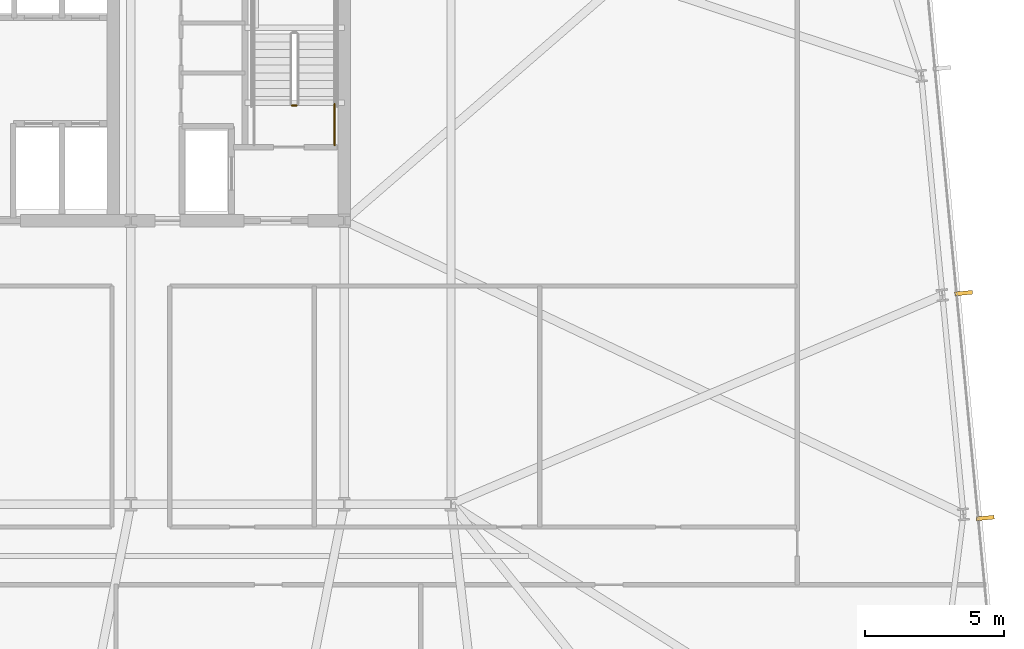
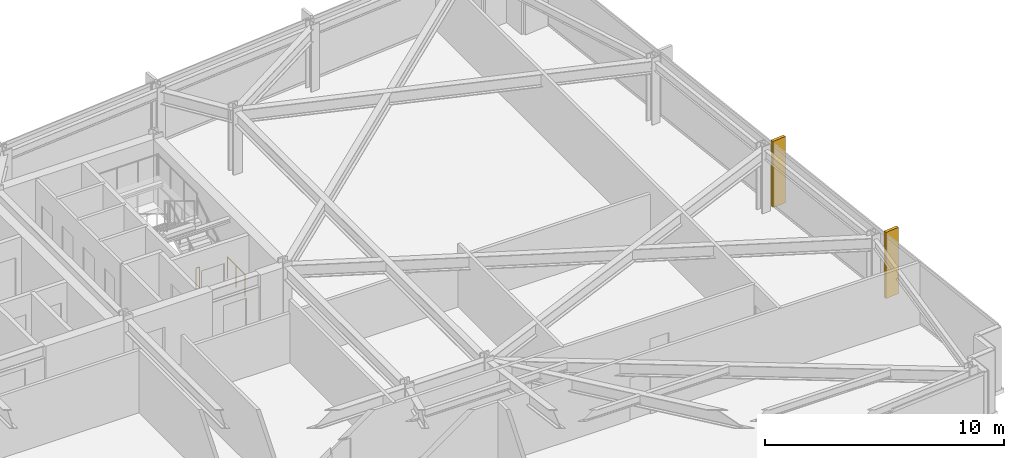
# One storey, part 30 of 32: 2 railings, 2 shading devices.
"""IFC4 building model written with IfcOpenShell, lengths in metres."""

from ifc_helpers import new_model, si_unit, direction, frame, origin, origin_2d, place, context, subcontext, project, spatial, rectangle, circle, extrude, material, layer, layer_set, type_object, element, save


model = new_model("IFC4")

# Units and contexts
model_context = context("Model", 3, precision=1e-05, world=origin(), true_north=direction((0.0, 1.0)))
body_context = subcontext(model_context, "Body", "Model", "MODEL_VIEW")
ifc_project = project(units=[si_unit("LENGTHUNIT", "METRE"), si_unit("AREAUNIT", "SQUARE_METRE"), si_unit("VOLUMEUNIT", "CUBIC_METRE"), si_unit("PLANEANGLEUNIT", "RADIAN"), si_unit("MASSUNIT", "GRAM", prefix="KILO")], contexts=[model_context])

# Site, building, storey
site_placement = place(None, origin())
site = spatial("IfcSite", under=ifc_project, at=site_placement, CompositionType="ELEMENT")
building_placement = place(site_placement, origin())
building = spatial("IfcBuilding", under=site, at=building_placement, Name="Yelkora Congress Tower", CompositionType="ELEMENT")
storey_placement = place(building_placement, frame((0.0, 0.0, 103.300048828125)))
storey = spatial("IfcBuildingStorey", under=building, at=storey_placement, Name="L27", CompositionType="ELEMENT", Elevation=103.300048828125)

# Railings
ifc_material_1 = material(Name="Painted galvanised steel stair well guard with vertical infill", Category="steel")
ifc_layer_1 = layer(ifc_material_1, 0.06005859375)
ifc_layer_set_1 = layer_set([ifc_layer_1], Name="Painted galvanised steel stair well guard with vertical infill")
railing_type = type_object("IfcRailingType", Name="RAIL-STAIR-GUARD-1120", PredefinedType="GUARDRAIL", material=ifc_layer_set_1)
railing_1_placement = place(storey_placement, frame((52.0400390625, 39.550048828125, 0.0)))
element("IfcRailing", 1, at=railing_1_placement, inside=storey, type_object=railing_type, Name="ST-02 L27 Stair Well Guardrail 7", PredefinedType="GUARDRAIL", context=body_context, shape_type="SweptSolid", body=[
    extrude(circle(Radius=0.02392578125, at=origin_2d()), frame((0.0, 0.0, 1.09619140625), z_axis=(-1.0, 0.0, 0.0), x_axis=(0.0, -1.0, 0.0)), (0.0, 0.0, 1.0), 0.16015625),
    extrude(circle(Radius=0.02099609375, at=origin_2d()), origin(), (0.0, 0.0, 1.0), 1.072021484375),
    extrude(circle(Radius=0.02099609375, at=origin_2d()), frame((-0.16015625, 0.0, 0.0)), (0.0, 0.0, 1.0), 1.072021484375),
])
railing_2_placement = place(storey_placement, frame((53.409912109375, 38.1201171875, 0.0)))
element("IfcRailing", 2, at=railing_2_placement, inside=storey, type_object=railing_type, Name="ST-02 L27 Stair Well Guardrail 8", PredefinedType="GUARDRAIL", context=body_context, shape_type="SweptSolid", body=[
    extrude(circle(Radius=0.02392578125, at=origin_2d()), frame((0.0, 0.0, 1.09619140625), z_axis=(0.0, 1.0, 0.0), x_axis=(-1.0, 0.0, 0.0)), (0.0, 0.0, 1.0), 1.47998046875),
    extrude(circle(Radius=0.02099609375, at=origin_2d()), origin(), (0.0, 0.0, 1.0), 1.072021484375),
    extrude(circle(Radius=0.02099609375, at=origin_2d()), frame((0.0, 0.739990234375, 0.0)), (0.0, 0.0, 1.0), 1.072021484375),
    extrude(circle(Radius=0.02099609375, at=origin_2d()), frame((0.0, 1.47998046875, 0.0)), (0.0, 0.0, 1.0), 1.072021484375),
])

# Shading devices
ifc_material_2 = material(Name="Champagne anodised aluminium", Category="aluminium")
ifc_layer_2 = layer(ifc_material_2, 3.39990234375)
ifc_layer_set_2 = layer_set([ifc_layer_2], Name="Champagne anodised aluminium")
shading_device_type = type_object("IfcShadingDeviceType", Name="SHD-FIN-ALU-640", PredefinedType="USERDEFINED", material=ifc_layer_set_2)
for number, where, z_axis, x_axis, name in (
    (3, (76.048095703125, 32.7958984375, -0.030029296875), (0.0, 0.0, 1.0), (0.09584575252, -0.995396198367, 0.0), "L27 Vertical Anodised Solar Fin 15-2"),
    (4, (76.827392578125, 24.703125, -0.030029296875), (0.0, 0.0, 1.0), (0.09584575252, -0.995396198367, 0.0), "L27 Vertical Anodised Solar Fin 15-3"),
):
    element("IfcShadingDevice", number, at=place(storey_placement, frame(where, z_axis=z_axis, x_axis=x_axis)), inside=storey, type_object=shading_device_type, Name=name, ObjectType="FIN", PredefinedType="USERDEFINED", context=body_context, shape_type="SweptSolid", body=[
        extrude(rectangle(XDim=0.139892578125, YDim=0.639892578125, at=origin_2d()), origin(), (0.0, 0.0, 1.0), 3.3798828125),
    ])

save(model, "model.ifc")
